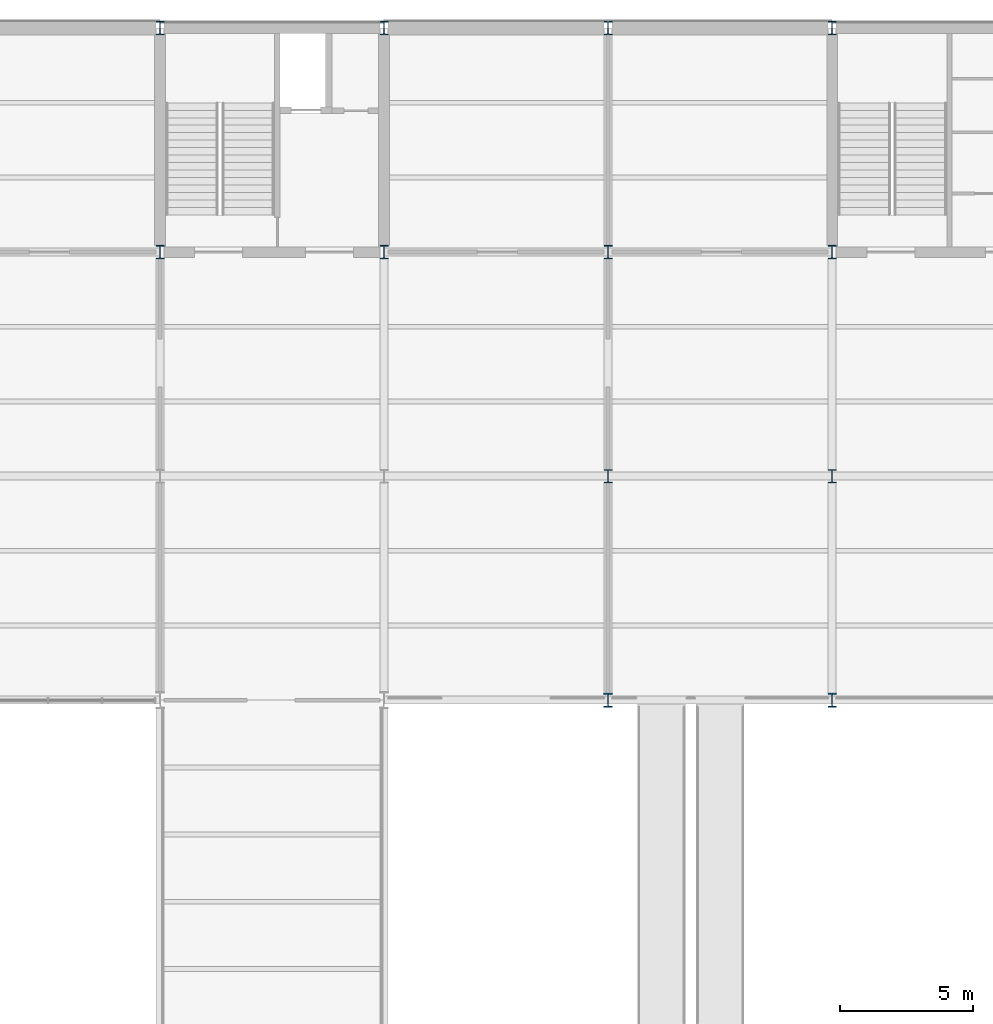
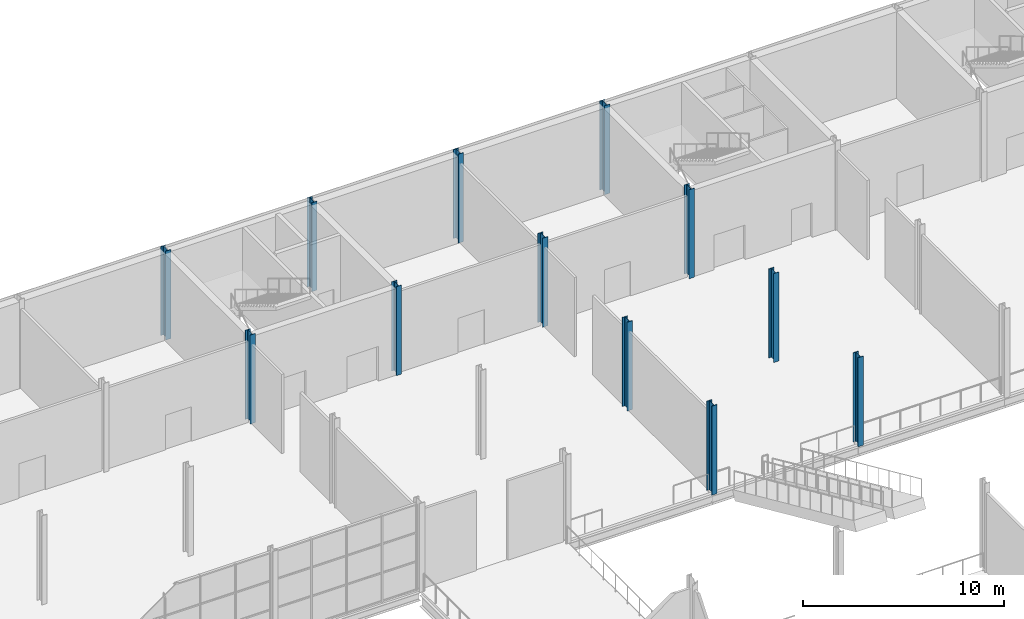
# One storey, part 4 of 64: 12 columns.
"""IFC4 building model written with IfcOpenShell, lengths in metres."""

from ifc_helpers import new_model, si_unit, direction, frame, origin, origin_2d, place, context, subcontext, project, spatial, i_section, extrude, material, material_profile, profile_set, type_object, element, save


model = new_model("IFC4")

# Units and contexts
model_context = context("Model", 3, precision=1e-05, world=origin(), true_north=direction((0.0, 1.0)))
body_context = subcontext(model_context, "Body", "Model", "MODEL_VIEW")
ifc_project = project(units=[si_unit("LENGTHUNIT", "METRE"), si_unit("AREAUNIT", "SQUARE_METRE"), si_unit("VOLUMEUNIT", "CUBIC_METRE"), si_unit("PLANEANGLEUNIT", "RADIAN"), si_unit("MASSUNIT", "GRAM", prefix="KILO")], contexts=[model_context])

# Site, building, storey
site_placement = place(None, origin())
site = spatial("IfcSite", under=ifc_project, at=site_placement, CompositionType="ELEMENT")
building_placement = place(site_placement, origin())
building = spatial("IfcBuilding", under=site, at=building_placement, Name="Galleria Vessillo Department Store", CompositionType="ELEMENT")
storey_placement = place(building_placement, frame((0.0, 0.0, 6.0)))
storey = spatial("IfcBuildingStorey", under=building, at=storey_placement, Name="L01", CompositionType="ELEMENT", Elevation=6.0)

# Columns
ifc_material_1 = material(Name="Steel S355 J2", Category="steel")
ifc_material_profile_1 = material_profile(ifc_material_1, i_section(OverallWidth=0.300048828125, OverallDepth=0.5, WebThickness=0.014404296875, FlangeThickness=0.028076171875, FilletRadius=0.027099609375, at=origin_2d()), Name="HEB 500")
ifc_profile_set_1 = profile_set([ifc_material_profile_1], Name="Steel S355 J2")
column_type_1 = type_object("IfcColumnType", Name="Steel column HEB 500 CP1", PredefinedType="COLUMN", material=ifc_profile_set_1)
for number, where, z_axis, x_axis, name in (
    (1, (33.60009765625, 54.60009765625, 0.0), (0.0, 0.0, 1.0), (1.0, 0.0, 0.0), "S-COL-L01-5-G"),
    (2, (33.60009765625, 63.0, 0.0), (0.0, 0.0, 1.0), (1.0, 0.0, 0.0), "S-COL-L01-5-H"),
    (3, (42.0, 54.60009765625, 0.0), (0.0, 0.0, 1.0), (1.0, 0.0, 0.0), "S-COL-L01-6-G"),
    (4, (42.0, 63.0, 0.0), (0.0, 0.0, 1.0), (1.0, 0.0, 0.0), "S-COL-L01-6-H"),
    (5, (50.39990234375, 46.199951171875, 0.0), (0.0, 0.0, 1.0), (1.0, 0.0, 0.0), "S-COL-L01-7-F"),
    (6, (50.39990234375, 54.60009765625, 0.0), (0.0, 0.0, 1.0), (1.0, 0.0, 0.0), "S-COL-L01-7-G"),
    (7, (50.39990234375, 63.0, 0.0), (0.0, 0.0, 1.0), (1.0, 0.0, 0.0), "S-COL-L01-7-H"),
    (8, (58.800048828125, 46.199951171875, 0.0), (0.0, 0.0, 1.0), (1.0, 0.0, 0.0), "S-COL-L01-8-F"),
    (9, (58.800048828125, 54.60009765625, 0.0), (0.0, 0.0, 1.0), (1.0, 0.0, 0.0), "S-COL-L01-8-G"),
    (10, (58.800048828125, 63.0, 0.0), (0.0, 0.0, 1.0), (1.0, 0.0, 0.0), "S-COL-L01-8-H"),
):
    element("IfcColumn", number, at=place(storey_placement, frame(where, z_axis=z_axis, x_axis=x_axis)), inside=storey, type_object=column_type_1, Name=name, PredefinedType="COLUMN", context=body_context, shape_type="SweptSolid", body=[
        extrude(i_section(OverallWidth=0.300048828125, OverallDepth=0.5, WebThickness=0.014404296875, FlangeThickness=0.028076171875, FilletRadius=0.027099609375, at=origin_2d()), origin(), (0.0, 0.0, 1.0), 5.39990234375),
    ])
ifc_material_2 = material(Name="Steel S355 J2", Category="steel")
ifc_material_profile_2 = material_profile(ifc_material_2, i_section(OverallWidth=0.305908203125, OverallDepth=0.52392578125, WebThickness=0.02099609375, FlangeThickness=0.0400390625, FilletRadius=0.027099609375, at=origin_2d()), Name="HEM 500")
ifc_profile_set_2 = profile_set([ifc_material_profile_2], Name="Steel S355 J2")
column_type_2 = type_object("IfcColumnType", Name="Steel column HEM 500 CV1", PredefinedType="COLUMN", material=ifc_profile_set_2)
for number, where, z_axis, x_axis, name in (
    (11, (50.39990234375, 37.800048828125, 0.0), (0.0, 0.0, 1.0), (1.0, 0.0, 0.0), "S-COL-L01-7-E"),
    (12, (58.800048828125, 37.800048828125, 0.0), (0.0, 0.0, 1.0), (1.0, 0.0, 0.0), "S-COL-L01-8-E"),
):
    element("IfcColumn", number, at=place(storey_placement, frame(where, z_axis=z_axis, x_axis=x_axis)), inside=storey, type_object=column_type_2, Name=name, PredefinedType="COLUMN", context=body_context, shape_type="SweptSolid", body=[
        extrude(i_section(OverallWidth=0.305908203125, OverallDepth=0.52392578125, WebThickness=0.02099609375, FlangeThickness=0.0400390625, FilletRadius=0.027099609375, at=origin_2d()), origin(), (0.0, 0.0, 1.0), 5.39990234375),
    ])

save(model, "model.ifc")
